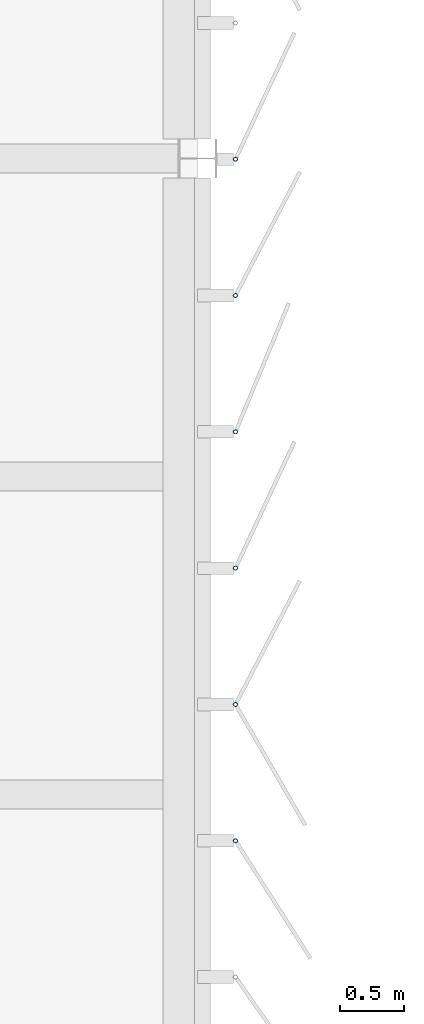
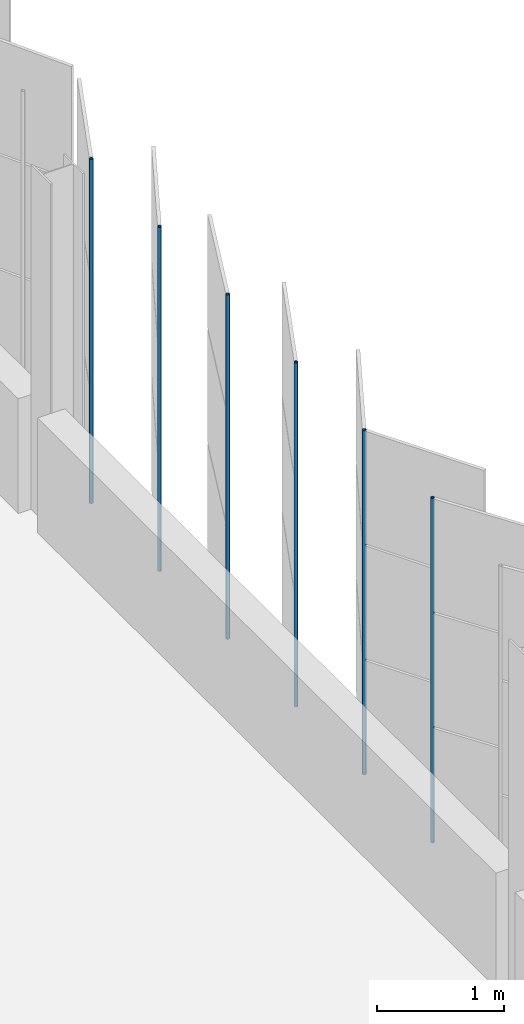
# One storey, part 98 of 199: 6 discrete accessories.
"""IFC4 building model written with IfcOpenShell, lengths in metres."""

from ifc_helpers import new_model, si_unit, direction, frame, origin, origin_2d, place, context, subcontext, project, spatial, hollow_circle, extrude, material, material_profile, profile_set, type_object, element, save


model = new_model("IFC4")

# Units and contexts
model_context = context("Model", 3, precision=1e-05, world=origin(), true_north=direction((0.0, 1.0)))
body_context = subcontext(model_context, "Body", "Model", "MODEL_VIEW")
ifc_project = project(units=[si_unit("LENGTHUNIT", "METRE"), si_unit("AREAUNIT", "SQUARE_METRE"), si_unit("VOLUMEUNIT", "CUBIC_METRE"), si_unit("PLANEANGLEUNIT", "RADIAN"), si_unit("MASSUNIT", "GRAM", prefix="KILO")], contexts=[model_context])

# Site, building, storey
site_placement = place(None, origin())
site = spatial("IfcSite", under=ifc_project, at=site_placement, CompositionType="ELEMENT")
building_placement = place(site_placement, origin())
building = spatial("IfcBuilding", under=site, at=building_placement, Name="Parallax Yard Mobility Hub", CompositionType="ELEMENT")
storey_placement = place(building_placement, frame((0.0, 0.0, 9.89990234375)))
storey = spatial("IfcBuildingStorey", under=building, at=storey_placement, Name="L03", CompositionType="ELEMENT", Elevation=9.89990234375)

# Discrete accessories
ifc_material = material(Name="Steel ASTM A500 Gr C, hot-dip galvanised", Category="steel")
ifc_material_profile = material_profile(ifc_material, hollow_circle(Radius=0.016845703125, WallThickness=0.003173828125, at=origin_2d()), Name="CHS 33.7x3.2")
ifc_profile_set = profile_set([ifc_material_profile], Name="Steel ASTM A500 Gr C, hot-dip galvanised")
discrete_accessory_type = type_object("IfcDiscreteAccessoryType", Name="Hinge post CHS 33.7x3.2", PredefinedType="BRACKET", material=ifc_profile_set)
for number, where, z_axis, x_axis, name in (
    (1, (225.300048828125, 54.63525390625, 0.0), (0.0, 0.0, 1.0), (1.0, 0.0, 0.0), "Hinge post bay 36.3 level L03"),
    (2, (225.300048828125, 55.70703125, 0.0), (0.0, 0.0, 1.0), (1.0, 0.0, 0.0), "Hinge post bay 36.4 level L03"),
    (3, (225.300048828125, 56.77880859375, 0.0), (0.0, 0.0, 1.0), (1.0, 0.0, 0.0), "Hinge post bay 36.5 level L03"),
    (4, (225.300048828125, 57.8505859375, 0.0), (0.0, 0.0, 1.0), (1.0, 0.0, 0.0), "Hinge post bay 36.6 level L03"),
    (5, (225.300048828125, 58.922119140625, 0.0), (0.0, 0.0, 1.0), (1.0, 0.0, 0.0), "Hinge post bay 36.7 level L03"),
    (6, (225.300048828125, 59.993896484375, 0.0), (0.0, 0.0, 1.0), (1.0, 0.0, 0.0), "Hinge post bay 37.1 level L03"),
):
    element("IfcDiscreteAccessory", number, at=place(storey_placement, frame(where, z_axis=z_axis, x_axis=x_axis)), inside=storey, type_object=discrete_accessory_type, Name=name, PredefinedType="BRACKET", context=body_context, shape_type="SweptSolid", body=[
        extrude(hollow_circle(Radius=0.016845703125, WallThickness=0.003173828125, at=origin_2d()), origin(), (0.0, 0.0, 1.0), 3.300048828125),
    ])

save(model, "model.ifc")
